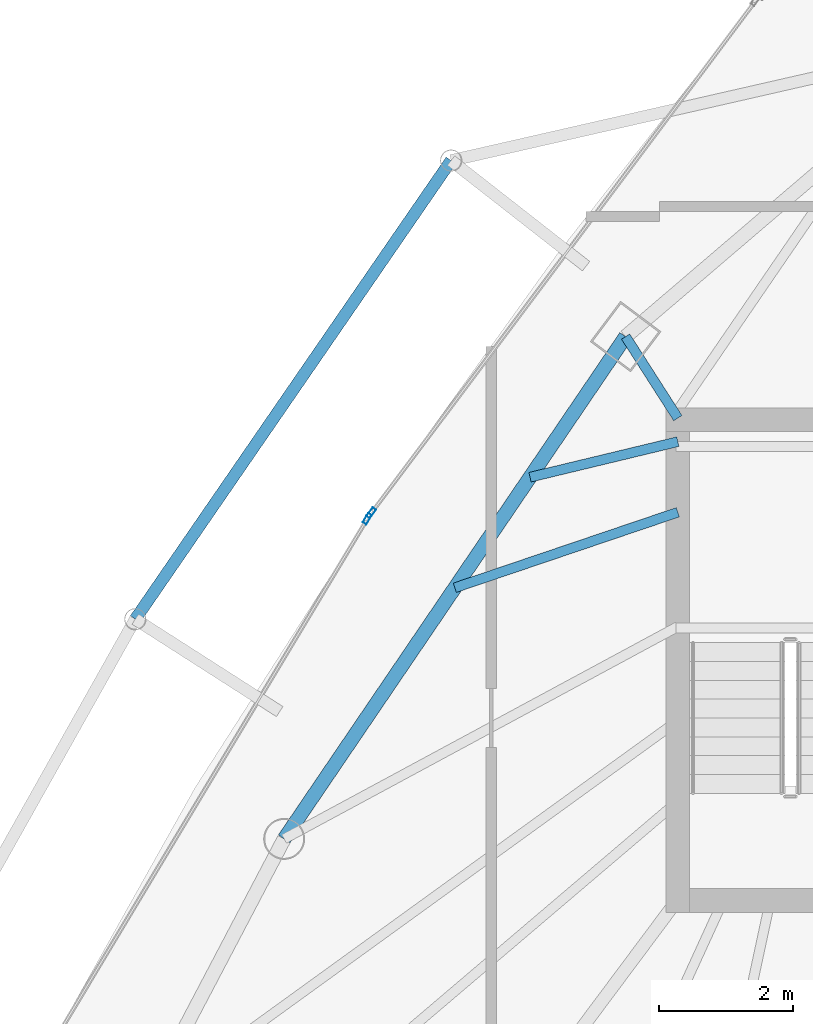
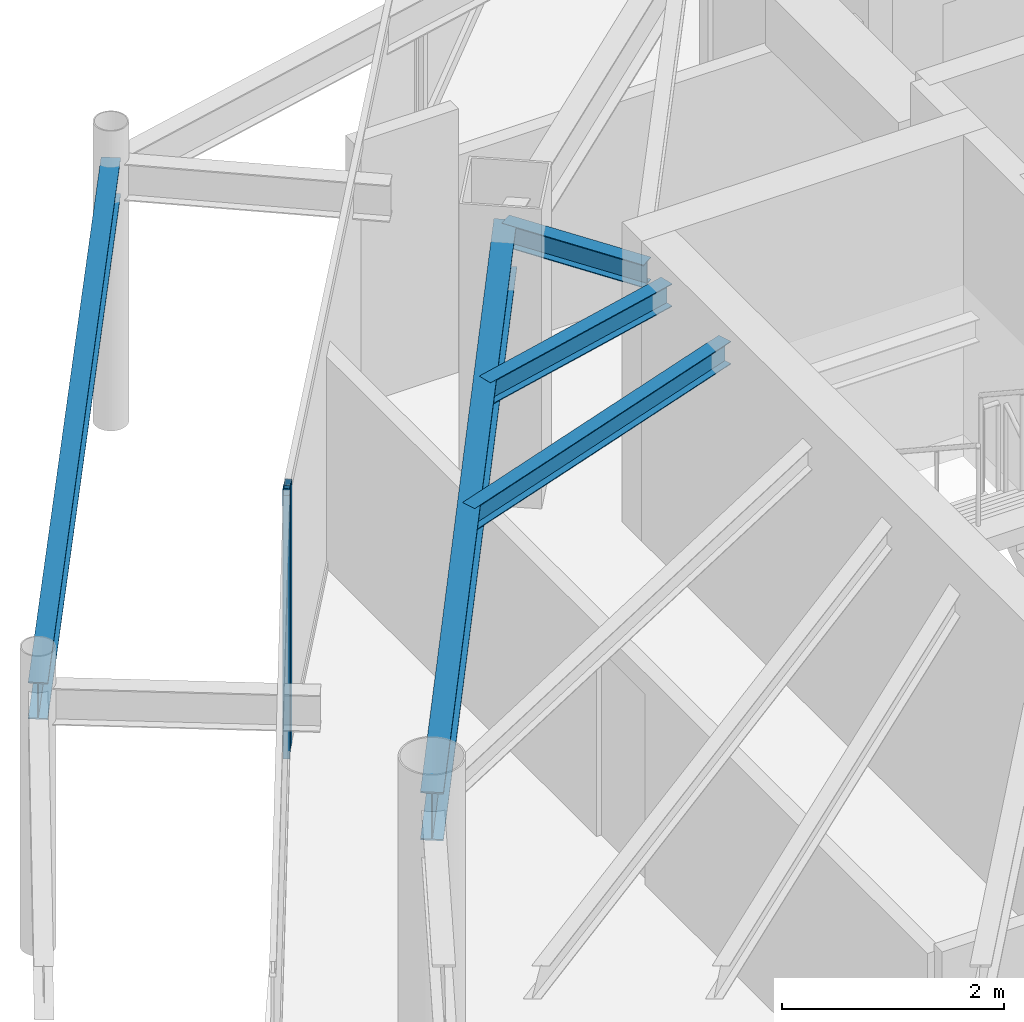
# One storey, part 12 of 29: 5 beams, 2 members, 2 elements without a shape of their own.
"""IFC4 building model written with IfcOpenShell, lengths in metres."""

from ifc_helpers import new_model, si_unit, direction, frame, origin, origin_2d, place, context, subcontext, project, spatial, hollow_rectangle, i_section, extrude, material, layer, layer_set, material_profile, profile_set, type_object, element, aggregate, save


model = new_model("IFC4")

# Units and contexts
model_context = context("Model", 3, precision=1e-05, world=origin(), true_north=direction((0.0, 1.0)))
body_context = subcontext(model_context, "Body", "Model", "MODEL_VIEW")
ifc_project = project(units=[si_unit("LENGTHUNIT", "METRE"), si_unit("AREAUNIT", "SQUARE_METRE"), si_unit("VOLUMEUNIT", "CUBIC_METRE"), si_unit("PLANEANGLEUNIT", "RADIAN"), si_unit("MASSUNIT", "GRAM", prefix="KILO")], contexts=[model_context])

# Site, building, storey
site_placement = place(None, origin())
site = spatial("IfcSite", under=ifc_project, at=site_placement, CompositionType="ELEMENT")
building_placement = place(site_placement, origin())
building = spatial("IfcBuilding", under=site, at=building_placement, Name="Orvanel Arch Residences", CompositionType="ELEMENT")
storey_placement = place(building_placement, frame((0.0, 0.0, 253.550048828125)))
storey = spatial("IfcBuildingStorey", under=building, at=storey_placement, Name="L72", CompositionType="ELEMENT", Elevation=253.550048828125)

# Beams
ifc_material_1 = material(Name="Structural steel AS/NZS 3679.1 Grade 300 (300 MPa)", Category="steel")
ifc_material_profile_1 = material_profile(ifc_material_1, i_section(OverallWidth=0.14599609375, OverallDepth=0.251953125, WebThickness=0.006103515625, FlangeThickness=0.008544921875, at=origin_2d()), Name="250UB31.4")
ifc_profile_set_1 = profile_set([ifc_material_profile_1], Name="Structural steel AS/NZS 3679.1 Grade 300 (300 MPa)")
beam_type_1 = type_object("IfcBeamType", Name="BJ-250UB", PredefinedType="JOIST", material=ifc_profile_set_1)
beam_1_placement = place(storey_placement, frame((26.425048828125, 33.89990234375, 2.77392578125), z_axis=(-0.539395075146, 0.842052820735, 0.0), x_axis=(-0.842052820735, -0.539395075146, 0.0)))
element("IfcBeam", 1, at=beam_1_placement, inside=storey, type_object=beam_type_1, Name="L72 NNW Wing Floor Joist", PredefinedType="JOIST", context=body_context, shape_type="SweptSolid", body=[
    extrude(i_section(OverallWidth=0.14599609375, OverallDepth=0.251953125, WebThickness=0.006103515625, FlangeThickness=0.008544921875, at=origin_2d()), origin(), (0.0, 0.0, 1.0), 1.440673828125),
])
beam_2_placement = place(storey_placement, frame((26.425048828125, 32.5, 2.77392578125), z_axis=(-0.947187956478, -0.320678928373, 0.0), x_axis=(0.320678928373, -0.947187956478, 0.0)))
element("IfcBeam", 2, at=beam_2_placement, inside=storey, type_object=beam_type_1, Name="L72 WNW Wing Floor Joist", PredefinedType="JOIST", context=body_context, shape_type="SweptSolid", body=[
    extrude(i_section(OverallWidth=0.14599609375, OverallDepth=0.251953125, WebThickness=0.006103515625, FlangeThickness=0.008544921875, at=origin_2d()), origin(), (0.0, 0.0, 1.0), 3.502197265625),
])
beam_3_placement = place(storey_placement, frame((26.425048828125, 33.550048828125, 2.77392578125), z_axis=(-0.972256833016, -0.23391590509, 0.0), x_axis=(0.23391590509, -0.972256833016, 0.0)))
element("IfcBeam", 3, at=beam_3_placement, inside=storey, type_object=beam_type_1, Name="L72 JADD3 Wing Floor Joist", PredefinedType="JOIST", context=body_context, shape_type="SweptSolid", body=[
    extrude(i_section(OverallWidth=0.14599609375, OverallDepth=0.251953125, WebThickness=0.006103515625, FlangeThickness=0.008544921875, at=origin_2d()), origin(), (0.0, 0.0, 1.0), 2.26171875),
])

# Curtain wall, member
ifc_material_2 = material(Name="Bronze-anodised aluminium AA6063-T6", Category="aluminium")
ifc_layer = layer(ifc_material_2, 0.175048828125)
ifc_layer_set = layer_set([ifc_layer], Name="Bronze-anodised aluminium AA6063-T6")
curtain_wall_type = type_object("IfcCurtainWallType", Name="CW4-HI-SYS", PredefinedType="NOTDEFINED", material=ifc_layer_set)
curtain_wall_1_placement = place(storey_placement, origin())
curtain_wall_1 = element("IfcCurtainWall", 4, at=curtain_wall_1_placement, inside=storey, type_object=curtain_wall_type, Name="L72 CW4-HI-SYS Unitised Curtain Wall", PredefinedType="NOTDEFINED")
ifc_material_profile_2 = material_profile(ifc_material_2, hollow_rectangle(XDim=0.06494140625, YDim=0.159912109375, WallThickness=0.00390625, at=origin_2d()), Name="ALU160x65x4")
ifc_profile_set_2 = profile_set([ifc_material_profile_2], Name="Bronze-anodised aluminium AA6063-T6")
member_type = type_object("IfcMemberType", Name="MUL-160x65", PredefinedType="MULLION", material=ifc_profile_set_2)
member_1_placement = place(storey_placement, frame((21.863525390625, 32.489990234375, 0.0), z_axis=(0.0, 0.0, 1.0), x_axis=(0.79988739913, -0.600150105151, 0.0)))
member_1 = element("IfcMember", 5, at=member_1_placement, type_object=member_type, Name="CW-S4 mullion 2", PredefinedType="MULLION", context=body_context, shape_type="SweptSolid", body=[
    extrude(hollow_rectangle(XDim=0.06494140625, YDim=0.159912109375, WallThickness=0.00390625, at=origin_2d()), origin(), (0.0, 0.0, 1.0), 2.89990234375),
])
aggregate(curtain_wall_1, [member_1])

curtain_wall_2_placement = place(storey_placement, origin())
curtain_wall_2 = element("IfcCurtainWall", 6, at=curtain_wall_2_placement, inside=storey, type_object=curtain_wall_type, Name="L72 CW4-HI-SYS Unitised Curtain Wall", PredefinedType="NOTDEFINED")
member_2_placement = place(storey_placement, frame((21.80517578125, 32.403076171875, 0.0), z_axis=(0.0, 0.0, 1.0), x_axis=(0.857576137808, -0.514357043174, 0.0)))
member_2 = element("IfcMember", 7, at=member_2_placement, type_object=member_type, Name="CW-S4 mullion 1", PredefinedType="MULLION", context=body_context, shape_type="SweptSolid", body=[
    extrude(hollow_rectangle(XDim=0.06494140625, YDim=0.159912109375, WallThickness=0.00390625, at=origin_2d()), origin(), (0.0, 0.0, 1.0), 2.89990234375),
])
aggregate(curtain_wall_2, [member_2])

# Beams
ifc_material_profile_3 = material_profile(ifc_material_1, i_section(OverallWidth=0.177978515625, OverallDepth=0.406005859375, WebThickness=0.0078125, FlangeThickness=0.0126953125, at=origin_2d()), Name="410UB59.7")
ifc_profile_set_3 = profile_set([ifc_material_profile_3], Name="Structural steel AS/NZS 3679.1 Grade 300 (300 MPa)")
beam_type_2 = type_object("IfcBeamType", Name="OB-410UB-EXT", PredefinedType="SPANDREL", material=ifc_profile_set_3)
beam_4_placement = place(storey_placement, frame((23.052001953125, 37.73193359375, 2.697021484375), z_axis=(-0.567172861341, -0.823598776929, 0.0), x_axis=(0.823598776929, -0.567172861341, 0.0)))
element("IfcBeam", 8, at=beam_4_placement, inside=storey, type_object=beam_type_2, Name="L72 Outer Perimeter Floor Ring Beam 01", PredefinedType="SPANDREL", context=body_context, shape_type="SweptSolid", body=[
    extrude(i_section(OverallWidth=0.177978515625, OverallDepth=0.406005859375, WebThickness=0.0078125, FlangeThickness=0.0126953125, at=origin_2d()), origin(), (0.0, 0.0, 1.0), 8.283203125),
])
ifc_material_profile_4 = material_profile(ifc_material_1, i_section(OverallWidth=0.208984375, OverallDepth=0.532958984375, WebThickness=0.01025390625, FlangeThickness=0.015625, at=origin_2d()), Name="530UB92.4")
ifc_profile_set_4 = profile_set([ifc_material_profile_4], Name="Structural steel AS/NZS 3679.1 Grade 300 (300 MPa)")
beam_type_3 = type_object("IfcBeamType", Name="SP-530UB", PredefinedType="SPANDREL", material=ifc_profile_set_4)
beam_5_placement = place(storey_placement, frame((25.64794921875, 35.113037109375, 2.633056640625), z_axis=(-0.562154793153, -0.827032035978, 0.0), x_axis=(0.827032035978, -0.562154793153, 0.0)))
element("IfcBeam", 9, at=beam_5_placement, inside=storey, type_object=beam_type_3, Name="L72 Perimeter Spandrel Beam 11", PredefinedType="SPANDREL", context=body_context, shape_type="SweptSolid", body=[
    extrude(i_section(OverallWidth=0.208984375, OverallDepth=0.532958984375, WebThickness=0.01025390625, FlangeThickness=0.015625, at=origin_2d()), origin(), (0.0, 0.0, 1.0), 9.03466796875),
])

save(model, "model.ifc")
